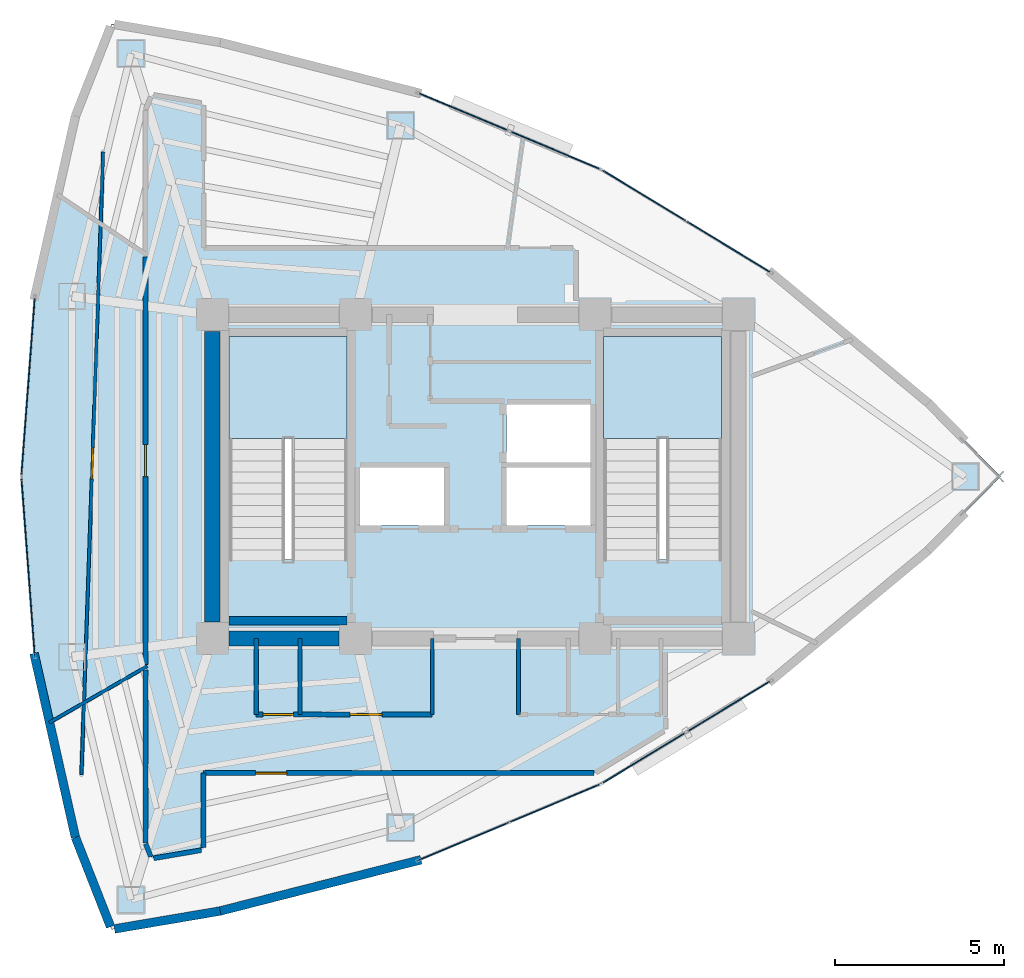
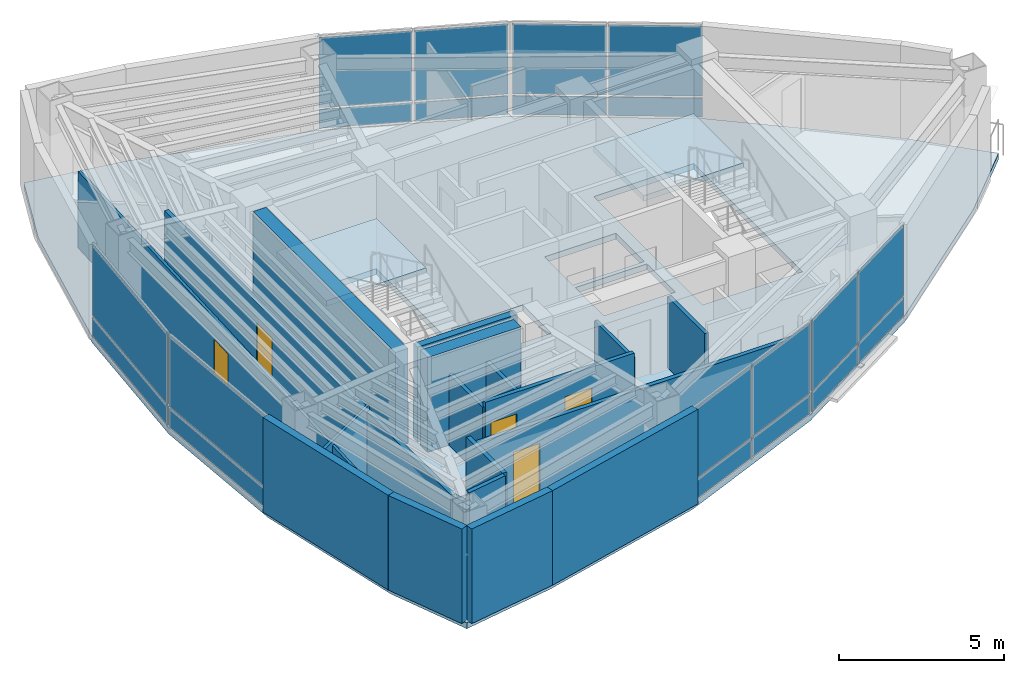
# One storey, part 11 of 16: 20 plates, 20 walls, 5 doors, 3 slabs, 5 openings, 8 elements without a shape of their own.
"""IFC4 building model written with IfcOpenShell, lengths in metres."""

import ifcopenshell
import ifcopenshell.guid

model = None  # the IFC model being written
_history = None  # IfcOwnerHistory: only IFC2X3 demands one
_inside = {}  # id of a spatial element -> (the spatial element, [elements in it])
_under = {}  # id of a project, library or spatial element -> (it, [spatial elements below it])
_declared = {}  # id of a project -> (the project, [libraries it declares])
_typed = {}  # id of a type object -> (the type object, [elements of that type])
_made_of = {}  # id of a material, layer set ... -> (it, [elements and type objects made of it])


def new_model(schema):
    """Start an empty IFC model of exactly this schema.

    Asked for "IFC4X3", IfcOpenShell would pick the latest addendum, in which some entities
    have other attributes; the version numbers below select the first issue.
    IFC2X3 requires an IfcOwnerHistory on every rooted entity: one is made here for all.
    """
    global model, _history
    if schema == "IFC4X3":
        model = ifcopenshell.file(schema_version=(4, 3, 0, 0))
    else:
        model = ifcopenshell.file(schema=schema)
    _inside.clear()
    _under.clear()
    _declared.clear()
    _typed.clear()
    _made_of.clear()
    _history = None
    if model.schema == "IFC2X3":
        org = make("IfcOrganization", Name="unknown")
        user = make(
            "IfcPersonAndOrganization",
            ThePerson=make("IfcPerson", FamilyName="unknown"),
            TheOrganization=org,
        )
        app = make(
            "IfcApplication",
            ApplicationDeveloper=org,
            Version="unknown",
            ApplicationFullName="unknown",
            ApplicationIdentifier="unknown",
        )
        _history = make(
            "IfcOwnerHistory",
            OwningUser=user,
            OwningApplication=app,
            ChangeAction="ADDED",
            CreationDate=0,
        )
    return model


def make(cls, **values):
    """One entity of the class cls with the attributes given. An attribute that is None is left unset."""
    return model.create_entity(
        cls, **{name: value for name, value in values.items() if value is not None}
    )


def rooted(cls, **values):
    """An entity with a GlobalId (a new one), such as an element, a storey or a relation."""
    return make(cls, GlobalId=ifcopenshell.guid.new(), OwnerHistory=_history, **values)


def si_unit(unit_type, name, prefix=None):
    """IfcSIUnit, for example si_unit("LENGTHUNIT", "METRE", prefix="MILLI")."""
    return make("IfcSIUnit", UnitType=unit_type, Prefix=prefix, Name=name)


def assignment(units):
    """IfcUnitAssignment: the units of a project."""
    return None if units is None else make("IfcUnitAssignment", Units=units)


def point(xyz):
    """IfcCartesianPoint."""
    return None if xyz is None else make("IfcCartesianPoint", Coordinates=xyz)


def direction(xyz):
    """IfcDirection."""
    return None if xyz is None else make("IfcDirection", DirectionRatios=xyz)


def frame(location, z_axis=None, x_axis=None):
    """IfcAxis2Placement3D, a coordinate frame: its origin and axes. An axis left out is left unset."""
    return make(
        "IfcAxis2Placement3D",
        Location=point(location),
        Axis=direction(z_axis),
        RefDirection=direction(x_axis),
    )


def frame_2d(location, x_axis=None):
    """IfcAxis2Placement2D, a coordinate frame in the plane: its origin and x axis."""
    return make(
        "IfcAxis2Placement2D", Location=point(location), RefDirection=direction(x_axis)
    )


def origin():
    """The frame at (0, 0, 0) with its axes left unset."""
    return frame((0.0, 0.0, 0.0))


def origin_2d():
    """The frame at (0, 0) in the plane with its x axis left unset."""
    return frame_2d((0.0, 0.0))


def place(relative_to, where):
    """IfcLocalPlacement: puts the frame where relative to a parent placement (None: the world)."""
    return make(
        "IfcLocalPlacement", PlacementRelTo=relative_to, RelativePlacement=where
    )


def context(
    kind, dimensions, precision=None, world=None, true_north=None, identifier=None
):
    """IfcGeometricRepresentationContext, for example the 3D "Model" context."""
    return make(
        "IfcGeometricRepresentationContext",
        ContextIdentifier=identifier,
        ContextType=kind,
        CoordinateSpaceDimension=dimensions,
        Precision=precision,
        WorldCoordinateSystem=world,
        TrueNorth=true_north,
    )


def subcontext(parent, identifier, kind, view, scale=None):
    """IfcGeometricRepresentationSubContext, for example "Body" below "Model"."""
    return make(
        "IfcGeometricRepresentationSubContext",
        ContextIdentifier=identifier,
        ContextType=kind,
        ParentContext=parent,
        TargetScale=scale,
        TargetView=view,
    )


def project(units=None, contexts=None):
    """IfcProject with its units and contexts."""
    return rooted(
        "IfcProject",
        Name="project",
        RepresentationContexts=contexts,
        UnitsInContext=assignment(units),
    )


def spatial(cls, under=None, at=None, **own):
    """A site, building, storey or space (cls), placed at a placement, below another one or the project."""
    s = rooted(cls, ObjectPlacement=at, **own)
    if under is not None:
        _under.setdefault(under.id(), (under, []))[1].append(s)
    return s


def polyline(points):
    """IfcPolyline through the points."""
    return make("IfcPolyline", Points=[point(p) for p in points])


def profile(cls, at=None, kind="AREA", **sizes):
    """A parametric profile (cls). Its sizes go by their IFC names, for example OverallWidth=200.0."""
    return make(cls, ProfileType=kind, Position=at, **sizes)


def rectangle(**sizes):
    """IfcRectangleProfileDef."""
    return profile("IfcRectangleProfileDef", **sizes)


def outline(outer, holes=None, kind="AREA"):
    """IfcArbitraryClosedProfileDef: a profile drawn as a closed curve; with holes, ...WithVoids."""
    if holes is None:
        return make("IfcArbitraryClosedProfileDef", ProfileType=kind, OuterCurve=outer)
    return make(
        "IfcArbitraryProfileDefWithVoids",
        ProfileType=kind,
        OuterCurve=outer,
        InnerCurves=holes,
    )


def extrude(swept, where, along, depth):
    """IfcExtrudedAreaSolid: the profile swept, set in the frame where, extruded along a direction by depth."""
    return make(
        "IfcExtrudedAreaSolid",
        SweptArea=swept,
        Position=where,
        ExtrudedDirection=direction(along),
        Depth=depth,
    )


def shape(context_of_items, identifier, shape_type, items):
    """IfcShapeRepresentation: the items that make up one representation, for example the "Body"."""
    return make(
        "IfcShapeRepresentation",
        ContextOfItems=context_of_items,
        RepresentationIdentifier=identifier,
        RepresentationType=shape_type,
        Items=items,
    )


def material(Name=None, Category=None):
    """IfcMaterial."""
    return make("IfcMaterial", Name=Name, Category=Category)


def layer(
    of_material, thickness, ventilated=None, Name=None, Category=None, Priority=None
):
    """IfcMaterialLayer: one layer of a wall or slab, of a material (None: an air gap)."""
    return make(
        "IfcMaterialLayer",
        Material=of_material,
        LayerThickness=thickness,
        IsVentilated=ventilated,
        Name=Name,
        Category=Category,
        Priority=Priority,
    )


def layer_set(layers, Name=None):
    """IfcMaterialLayerSet."""
    return make("IfcMaterialLayerSet", MaterialLayers=layers, LayerSetName=Name)


def made_of(thing, what):
    """Note that an element or type object is made of a material, layer set ...; save() writes the relation."""
    if what is not None:
        _made_of.setdefault(what.id(), (what, []))[1].append(thing)
    return thing


def type_object(cls, material=None, **own):
    """A type object (cls), such as IfcWallType, which elements share."""
    return made_of(rooted(cls, **own), material)


def element(
    cls,
    number,
    at=None,
    inside=None,
    cuts=None,
    type_object=None,
    material=None,
    context=None,
    identifier="Body",
    shape_type=None,
    held_by="IfcProductDefinitionShape",
    body=None,
    shapes=None,
    **own,
):
    """One element of the class cls, such as IfcWall. Its Tag is "e" and its number.

    at: its placement. inside: the storey or other place that contains it. cuts: it is an
    opening in that element (IfcRelVoidsElement). A single representation is given by context,
    identifier, shape_type and body (its items); several are given by shapes. held_by: the class
    of the entity that holds the representations. save() writes the other relations.
    """
    e = rooted(cls, Tag="e%d" % number, ObjectPlacement=at, **own)
    if body is not None:
        shapes = [shape(context, identifier, shape_type, body)]
    if shapes is not None:
        e.Representation = make(held_by, Representations=shapes)
    if inside is not None:
        _inside.setdefault(inside.id(), (inside, []))[1].append(e)
    if cuts is not None:
        rooted(
            "IfcRelVoidsElement", RelatingBuildingElement=cuts, RelatedOpeningElement=e
        )
    if type_object is not None:
        _typed.setdefault(type_object.id(), (type_object, []))[1].append(e)
    return made_of(e, material)


def fill(opening, filler):
    """IfcRelFillsElement: the door or window that sits in an opening."""
    return rooted(
        "IfcRelFillsElement",
        RelatingOpeningElement=opening,
        RelatedBuildingElement=filler,
    )


def aggregate(whole, parts):
    """IfcRelAggregates: a whole, such as a stair, and the parts it consists of."""
    return rooted("IfcRelAggregates", RelatingObject=whole, RelatedObjects=parts)


def save(model, path):
    """Write the relations noted so far, then the file.

    IfcRelAggregates (storeys below a building ...), IfcRelContainedInSpatialStructure (elements
    in a storey), IfcRelDefinesByType, IfcRelAssociatesMaterial and IfcRelDeclares: one each for
    every whole, place, type object, material and project.
    """
    for whole, parts in _under.values():
        aggregate(whole, parts)
    for where, things in _inside.values():
        rooted(
            "IfcRelContainedInSpatialStructure",
            RelatedElements=things,
            RelatingStructure=where,
        )
    for kind, things in _typed.values():
        rooted("IfcRelDefinesByType", RelatedObjects=things, RelatingType=kind)
    for what, things in _made_of.values():
        rooted("IfcRelAssociatesMaterial", RelatedObjects=things, RelatingMaterial=what)
    for by, libraries in _declared.values():
        rooted("IfcRelDeclares", RelatingContext=by, RelatedDefinitions=libraries)
    model.write(path)


model = new_model("IFC4")

# Units and contexts
model_context = context("Model", 3, precision=1e-05, world=origin(), true_north=direction((0.0, 1.0)))
body_context = subcontext(model_context, "Body", "Model", "MODEL_VIEW")
ifc_project = project(units=[si_unit("LENGTHUNIT", "METRE"), si_unit("AREAUNIT", "SQUARE_METRE"), si_unit("VOLUMEUNIT", "CUBIC_METRE"), si_unit("PLANEANGLEUNIT", "RADIAN"), si_unit("MASSUNIT", "GRAM", prefix="KILO")], contexts=[model_context])

# Site, building, storey
site_placement = place(None, origin())
site = spatial("IfcSite", under=ifc_project, at=site_placement, CompositionType="ELEMENT")
building_placement = place(site_placement, origin())
building = spatial("IfcBuilding", under=site, at=building_placement, Name="Menara Vayukalpa", CompositionType="ELEMENT")
storey_placement = place(building_placement, frame((0.0, 0.0, 280.6201171875)))
storey = spatial("IfcBuildingStorey", under=building, at=storey_placement, Name="L71", CompositionType="ELEMENT", Elevation=280.6201171875)

# Curtain wall, plates
ifc_material_1 = material(Name="Anodised Terracotta Aluminium Alloy 6063-T6", Category="masonry")
ifc_layer_1 = layer(ifc_material_1, 0.1650390625)
ifc_layer_set_1 = layer_set([ifc_layer_1], Name="Anodised Terracotta Aluminium Alloy 6063-T6")
curtain_wall_type = type_object("IfcCurtainWallType", Name="CW-CW6", PredefinedType="USERDEFINED", material=ifc_layer_set_1)
curtain_wall_1_placement = place(storey_placement, origin())
curtain_wall_1 = element("IfcCurtainWall", 1, at=curtain_wall_1_placement, inside=storey, type_object=curtain_wall_type, Name="L71 Observation and Executive Curtain Wall CW6 04", ObjectType="UNITISED", PredefinedType="USERDEFINED")
ifc_material_2 = material(Name="Low-E Double Glazing", Category="glass")
ifc_layer_2 = layer(ifc_material_2, 0.033935546875)
ifc_layer_set_2 = layer_set([ifc_layer_2], Name="Low-E Double Glazing")
plate_type = type_object("IfcPlateType", Name="CWP-CW6", PredefinedType="CURTAIN_PANEL", material=ifc_layer_set_2)
plate_1_placement = place(storey_placement, frame((33.102783203125, 28.814208984375, 0.074951171875), z_axis=(0.0, 0.0, 1.0), x_axis=(-0.854667609532, 0.519175574558, 0.0)))
plate_1 = element("IfcPlate", 2, at=plate_1_placement, type_object=plate_type, Name="CW6 panel 1.1", PredefinedType="CURTAIN_PANEL", context=body_context, shape_type="SweptSolid", body=[
    extrude(rectangle(XDim=2.8486328125, YDim=0.033935546875, at=origin_2d()), origin(), (0.0, 0.0, 1.0), 0.6875),
])
plate_2_placement = place(storey_placement, frame((33.102783203125, 28.814208984375, 0.83740234375), z_axis=(0.0, 0.0, 1.0), x_axis=(-0.854667609532, 0.519175574558, 0.0)))
plate_2 = element("IfcPlate", 3, at=plate_2_placement, type_object=plate_type, Name="CW6 panel 1.2", PredefinedType="CURTAIN_PANEL", context=body_context, shape_type="SweptSolid", body=[
    extrude(rectangle(XDim=2.8486328125, YDim=0.033935546875, at=origin_2d()), origin(), (0.0, 0.0, 1.0), 2.58740234375),
])
plate_3_placement = place(storey_placement, frame((30.608154296875, 30.329345703125, 0.074951171875), z_axis=(0.0, 0.0, 1.0), x_axis=(-0.854667609532, 0.519175574558, 0.0)))
plate_3 = element("IfcPlate", 4, at=plate_3_placement, type_object=plate_type, Name="CW6 panel 2.1", PredefinedType="CURTAIN_PANEL", context=body_context, shape_type="SweptSolid", body=[
    extrude(rectangle(XDim=2.8486328125, YDim=0.033935546875, at=origin_2d()), origin(), (0.0, 0.0, 1.0), 0.6875),
])
plate_4_placement = place(storey_placement, frame((30.608154296875, 30.329345703125, 0.83740234375), z_axis=(0.0, 0.0, 1.0), x_axis=(-0.854667609532, 0.519175574558, 0.0)))
plate_4 = element("IfcPlate", 5, at=plate_4_placement, type_object=plate_type, Name="CW6 panel 2.2", PredefinedType="CURTAIN_PANEL", context=body_context, shape_type="SweptSolid", body=[
    extrude(rectangle(XDim=2.8486328125, YDim=0.033935546875, at=origin_2d()), origin(), (0.0, 0.0, 1.0), 2.58740234375),
])
aggregate(curtain_wall_1, [plate_1, plate_2, plate_3, plate_4])

curtain_wall_2_placement = place(storey_placement, origin())
curtain_wall_2 = element("IfcCurtainWall", 6, at=curtain_wall_2_placement, inside=storey, type_object=curtain_wall_type, Name="L71 Observation and Executive Curtain Wall CW6 05", ObjectType="UNITISED", PredefinedType="USERDEFINED")
plate_5_placement = place(storey_placement, frame((27.952392578125, 31.681884765625, 0.074951171875), z_axis=(0.0, 0.0, 1.0), x_axis=(-0.922540653927, 0.385899911703, 0.0)))
plate_5 = element("IfcPlate", 7, at=plate_5_placement, type_object=plate_type, Name="CW6 panel 1.1", PredefinedType="CURTAIN_PANEL", context=body_context, shape_type="SweptSolid", body=[
    extrude(rectangle(XDim=2.8486328125, YDim=0.033935546875, at=origin_2d()), origin(), (0.0, 0.0, 1.0), 0.6875),
])
plate_6_placement = place(storey_placement, frame((27.952392578125, 31.681884765625, 0.83740234375), z_axis=(0.0, 0.0, 1.0), x_axis=(-0.922540653927, 0.385899911703, 0.0)))
plate_6 = element("IfcPlate", 8, at=plate_6_placement, type_object=plate_type, Name="CW6 panel 1.2", PredefinedType="CURTAIN_PANEL", context=body_context, shape_type="SweptSolid", body=[
    extrude(rectangle(XDim=2.8486328125, YDim=0.033935546875, at=origin_2d()), origin(), (0.0, 0.0, 1.0), 2.58740234375),
])
plate_7_placement = place(storey_placement, frame((25.259765625, 32.808349609375, 0.074951171875), z_axis=(0.0, 0.0, 1.0), x_axis=(-0.922540653927, 0.385899911703, 0.0)))
plate_7 = element("IfcPlate", 9, at=plate_7_placement, type_object=plate_type, Name="CW6 panel 2.1", PredefinedType="CURTAIN_PANEL", context=body_context, shape_type="SweptSolid", body=[
    extrude(rectangle(XDim=2.8486328125, YDim=0.033935546875, at=origin_2d()), origin(), (0.0, 0.0, 1.0), 0.6875),
])
plate_8_placement = place(storey_placement, frame((25.259765625, 32.808349609375, 0.83740234375), z_axis=(0.0, 0.0, 1.0), x_axis=(-0.922540653927, 0.385899911703, 0.0)))
plate_8 = element("IfcPlate", 10, at=plate_8_placement, type_object=plate_type, Name="CW6 panel 2.2", PredefinedType="CURTAIN_PANEL", context=body_context, shape_type="SweptSolid", body=[
    extrude(rectangle(XDim=2.8486328125, YDim=0.033935546875, at=origin_2d()), origin(), (0.0, 0.0, 1.0), 2.58740234375),
])
aggregate(curtain_wall_2, [plate_5, plate_6, plate_7, plate_8])

curtain_wall_3_placement = place(storey_placement, origin())
curtain_wall_3 = element("IfcCurtainWall", 11, at=curtain_wall_3_placement, inside=storey, type_object=curtain_wall_type, Name="L71 Observation and Executive Curtain Wall CW6 10", ObjectType="UNITISED", PredefinedType="USERDEFINED")
plate_9_placement = place(storey_placement, frame((12.33837890625, 24.67333984375, 0.074951171875), z_axis=(0.0, 0.0, 1.0), x_axis=(-0.074789484574, -0.997199344663, 0.0)))
plate_9 = element("IfcPlate", 12, at=plate_9_placement, type_object=plate_type, Name="CW6 panel 1.1", PredefinedType="CURTAIN_PANEL", context=body_context, shape_type="SweptSolid", body=[
    extrude(rectangle(XDim=5.2216796875, YDim=0.033935546875, at=origin_2d()), origin(), (0.0, 0.0, 1.0), 0.6875),
])
plate_10_placement = place(storey_placement, frame((12.33837890625, 24.67333984375, 0.83740234375), z_axis=(0.0, 0.0, 1.0), x_axis=(-0.074789484574, -0.997199344663, 0.0)))
plate_10 = element("IfcPlate", 13, at=plate_10_placement, type_object=plate_type, Name="CW6 panel 1.2", PredefinedType="CURTAIN_PANEL", context=body_context, shape_type="SweptSolid", body=[
    extrude(rectangle(XDim=5.2216796875, YDim=0.033935546875, at=origin_2d()), origin(), (0.0, 0.0, 1.0), 2.58740234375),
])
aggregate(curtain_wall_3, [plate_9, plate_10])

curtain_wall_4_placement = place(storey_placement, origin())
curtain_wall_4 = element("IfcCurtainWall", 14, at=curtain_wall_4_placement, inside=storey, type_object=curtain_wall_type, Name="L71 Observation and Executive Curtain Wall CW6 11", ObjectType="UNITISED", PredefinedType="USERDEFINED")
plate_11_placement = place(storey_placement, frame((12.33837890625, 19.32666015625, 0.074951171875), z_axis=(0.0, 0.0, 1.0), x_axis=(0.074789484574, -0.997199344663, 0.0)))
plate_11 = element("IfcPlate", 15, at=plate_11_placement, type_object=plate_type, Name="CW6 panel 1.1", PredefinedType="CURTAIN_PANEL", context=body_context, shape_type="SweptSolid", body=[
    extrude(rectangle(XDim=5.2216796875, YDim=0.033935546875, at=origin_2d()), origin(), (0.0, 0.0, 1.0), 0.6875),
])
plate_12_placement = place(storey_placement, frame((12.33837890625, 19.32666015625, 0.83740234375), z_axis=(0.0, 0.0, 1.0), x_axis=(0.074789484574, -0.997199344663, 0.0)))
plate_12 = element("IfcPlate", 16, at=plate_12_placement, type_object=plate_type, Name="CW6 panel 1.2", PredefinedType="CURTAIN_PANEL", context=body_context, shape_type="SweptSolid", body=[
    extrude(rectangle(XDim=5.2216796875, YDim=0.033935546875, at=origin_2d()), origin(), (0.0, 0.0, 1.0), 2.58740234375),
])
aggregate(curtain_wall_4, [plate_11, plate_12])

curtain_wall_5_placement = place(storey_placement, origin())
curtain_wall_5 = element("IfcCurtainWall", 17, at=curtain_wall_5_placement, inside=storey, type_object=curtain_wall_type, Name="L71 Observation and Executive Curtain Wall CW6 16", ObjectType="UNITISED", PredefinedType="USERDEFINED")
plate_13_placement = place(storey_placement, frame((25.259765625, 11.191650390625, 0.074951171875), z_axis=(0.0, 0.0, 1.0), x_axis=(0.922540653927, 0.385899911703, 0.0)))
plate_13 = element("IfcPlate", 18, at=plate_13_placement, type_object=plate_type, Name="CW6 panel 1.1", PredefinedType="CURTAIN_PANEL", context=body_context, shape_type="SweptSolid", body=[
    extrude(rectangle(XDim=2.8486328125, YDim=0.033935546875, at=origin_2d()), origin(), (0.0, 0.0, 1.0), 0.6875),
])
plate_14_placement = place(storey_placement, frame((25.259765625, 11.191650390625, 0.83740234375), z_axis=(0.0, 0.0, 1.0), x_axis=(0.922540653927, 0.385899911703, 0.0)))
plate_14 = element("IfcPlate", 19, at=plate_14_placement, type_object=plate_type, Name="CW6 panel 1.2", PredefinedType="CURTAIN_PANEL", context=body_context, shape_type="SweptSolid", body=[
    extrude(rectangle(XDim=2.8486328125, YDim=0.033935546875, at=origin_2d()), origin(), (0.0, 0.0, 1.0), 2.58740234375),
])
plate_15_placement = place(storey_placement, frame((27.952392578125, 12.318115234375, 0.074951171875), z_axis=(0.0, 0.0, 1.0), x_axis=(0.922540653927, 0.385899911703, 0.0)))
plate_15 = element("IfcPlate", 20, at=plate_15_placement, type_object=plate_type, Name="CW6 panel 2.1", PredefinedType="CURTAIN_PANEL", context=body_context, shape_type="SweptSolid", body=[
    extrude(rectangle(XDim=2.8486328125, YDim=0.033935546875, at=origin_2d()), origin(), (0.0, 0.0, 1.0), 0.6875),
])
plate_16_placement = place(storey_placement, frame((27.952392578125, 12.318115234375, 0.83740234375), z_axis=(0.0, 0.0, 1.0), x_axis=(0.922540653927, 0.385899911703, 0.0)))
plate_16 = element("IfcPlate", 21, at=plate_16_placement, type_object=plate_type, Name="CW6 panel 2.2", PredefinedType="CURTAIN_PANEL", context=body_context, shape_type="SweptSolid", body=[
    extrude(rectangle(XDim=2.8486328125, YDim=0.033935546875, at=origin_2d()), origin(), (0.0, 0.0, 1.0), 2.58740234375),
])
aggregate(curtain_wall_5, [plate_13, plate_14, plate_15, plate_16])

curtain_wall_6_placement = place(storey_placement, origin())
curtain_wall_6 = element("IfcCurtainWall", 22, at=curtain_wall_6_placement, inside=storey, type_object=curtain_wall_type, Name="L71 Observation and Executive Curtain Wall CW6 17", ObjectType="UNITISED", PredefinedType="USERDEFINED")
plate_17_placement = place(storey_placement, frame((30.608154296875, 13.670654296875, 0.074951171875), z_axis=(0.0, 0.0, 1.0), x_axis=(0.854667609532, 0.519175574558, 0.0)))
plate_17 = element("IfcPlate", 23, at=plate_17_placement, type_object=plate_type, Name="CW6 panel 1.1", PredefinedType="CURTAIN_PANEL", context=body_context, shape_type="SweptSolid", body=[
    extrude(rectangle(XDim=2.8486328125, YDim=0.033935546875, at=origin_2d()), origin(), (0.0, 0.0, 1.0), 0.6875),
])
plate_18_placement = place(storey_placement, frame((30.608154296875, 13.670654296875, 0.83740234375), z_axis=(0.0, 0.0, 1.0), x_axis=(0.854667609532, 0.519175574558, 0.0)))
plate_18 = element("IfcPlate", 24, at=plate_18_placement, type_object=plate_type, Name="CW6 panel 1.2", PredefinedType="CURTAIN_PANEL", context=body_context, shape_type="SweptSolid", body=[
    extrude(rectangle(XDim=2.8486328125, YDim=0.033935546875, at=origin_2d()), origin(), (0.0, 0.0, 1.0), 2.58740234375),
])
plate_19_placement = place(storey_placement, frame((33.102783203125, 15.185791015625, 0.074951171875), z_axis=(0.0, 0.0, 1.0), x_axis=(0.854667609532, 0.519175574558, 0.0)))
plate_19 = element("IfcPlate", 25, at=plate_19_placement, type_object=plate_type, Name="CW6 panel 2.1", PredefinedType="CURTAIN_PANEL", context=body_context, shape_type="SweptSolid", body=[
    extrude(rectangle(XDim=2.8486328125, YDim=0.033935546875, at=origin_2d()), origin(), (0.0, 0.0, 1.0), 0.6875),
])
plate_20_placement = place(storey_placement, frame((33.102783203125, 15.185791015625, 0.83740234375), z_axis=(0.0, 0.0, 1.0), x_axis=(0.854667609532, 0.519175574558, 0.0)))
plate_20 = element("IfcPlate", 26, at=plate_20_placement, type_object=plate_type, Name="CW6 panel 2.2", PredefinedType="CURTAIN_PANEL", context=body_context, shape_type="SweptSolid", body=[
    extrude(rectangle(XDim=2.8486328125, YDim=0.033935546875, at=origin_2d()), origin(), (0.0, 0.0, 1.0), 2.58740234375),
])
aggregate(curtain_wall_6, [plate_17, plate_18, plate_19, plate_20])

# Slab
ifc_material_3 = material(Name="Concrete C40/50", Category="concrete")
ifc_layer_3 = layer(ifc_material_3, 0.219970703125)
ifc_layer_set_3 = layer_set([ifc_layer_3], Name="Concrete C40/50")
slab_type_1 = type_object("IfcSlabType", Name="SLB-FL220", PredefinedType="FLOOR", material=ifc_layer_set_3)
slab_1_placement = place(storey_placement, frame((0.0, 0.0, -0.22021484375)))
element("IfcSlab", 27, at=slab_1_placement, inside=storey, type_object=slab_type_1, Name="L71 Structural Floor Slab", PredefinedType="FLOOR", context=body_context, shape_type="SweptSolid", body=[
    extrude(outline(polyline([(39.02783203125, 19.816162109375), (41.171875, 22.0), (39.02783203125, 24.183837890625), (34.3798828125, 28.038330078125), (29.3310546875, 31.105224609375), (23.881103515625, 33.385009765625), (18.0302734375, 34.877197265625), (14.814208984375, 35.423095703125), (13.741943359375, 32.693359375), (12.5390625, 27.3466796875), (12.137939453125, 22.0), (12.5390625, 16.6533203125), (13.741943359375, 11.306640625), (14.814208984375, 8.576904296875), (18.0302734375, 9.122802734375), (23.881103515625, 10.614990234375), (29.3310546875, 12.894775390625), (34.3798828125, 15.961669921875), (39.02783203125, 19.816162109375)]), holes=[polyline([(21.800048828125, 19.550048828125), (21.800048828125, 26.14990234375), (18.300048828125, 26.14990234375), (18.300048828125, 19.550048828125), (21.800048828125, 19.550048828125)]), polyline([(32.89990234375, 19.550048828125), (32.89990234375, 26.14990234375), (29.39990234375, 26.14990234375), (29.39990234375, 19.550048828125), (32.89990234375, 19.550048828125)]), polyline([(22.179931640625, 20.550048828125), (24.679931640625, 20.550048828125), (24.679931640625, 22.27001953125), (22.179931640625, 22.27001953125), (22.179931640625, 20.550048828125)]), polyline([(26.52001953125, 20.550048828125), (29.02001953125, 20.550048828125), (29.02001953125, 22.27001953125), (26.52001953125, 22.27001953125), (26.52001953125, 20.550048828125)]), polyline([(26.52001953125, 22.419921875), (29.02001953125, 22.419921875), (29.02001953125, 24.139892578125), (26.52001953125, 24.139892578125), (26.52001953125, 22.419921875)])]), origin(), (0.0, 0.0, 1.0), 0.22021484375),
])

# Stair, slab
ifc_material_4 = material(Name="Precast Concrete C40/50", Category="concrete")
stair_type = type_object("IfcStairType", Name="STR-T04", PredefinedType="DOUBLE_RETURN_STAIR", material=ifc_material_4)
stair_1_placement = place(storey_placement, origin())
stair_1 = element("IfcStair", 28, at=stair_1_placement, inside=storey, type_object=stair_type, Name="L71 Core Exit Stair ST-1", PredefinedType="DOUBLE_RETURN_STAIR")
ifc_material_5 = material(Name="Precast Concrete C40/50", Category="concrete")
ifc_layer_4 = layer(ifc_material_5, 0.199951171875)
ifc_layer_set_4 = layer_set([ifc_layer_4], Name="Precast Concrete C40/50")
slab_type_2 = type_object("IfcSlabType", Name="SLB-LND200", PredefinedType="LANDING", material=ifc_layer_set_4)
slab_2_placement = place(storey_placement, frame((0.0, 0.0, 1.659912109375)))
slab_2 = element("IfcSlab", 29, at=slab_2_placement, type_object=slab_type_2, Name="ST-1 landing 1", PredefinedType="LANDING", context=body_context, shape_type="SweptSolid", body=[
    extrude(outline(polyline([(21.800048828125, 23.1298828125), (21.800048828125, 26.14990234375), (18.300048828125, 26.14990234375), (18.300048828125, 23.1298828125), (21.800048828125, 23.1298828125)])), origin(), (0.0, 0.0, 1.0), 0.199951171875),
])
aggregate(stair_1, [slab_2])

stair_2_placement = place(storey_placement, origin())
stair_2 = element("IfcStair", 30, at=stair_2_placement, inside=storey, type_object=stair_type, Name="L71 Core Exit Stair ST-2", PredefinedType="DOUBLE_RETURN_STAIR")
slab_3_placement = place(storey_placement, frame((0.0, 0.0, 1.659912109375)))
slab_3 = element("IfcSlab", 31, at=slab_3_placement, type_object=slab_type_2, Name="ST-2 landing 1", PredefinedType="LANDING", context=body_context, shape_type="SweptSolid", body=[
    extrude(outline(polyline([(32.89990234375, 23.1298828125), (32.89990234375, 26.14990234375), (29.39990234375, 26.14990234375), (29.39990234375, 23.1298828125), (32.89990234375, 23.1298828125)])), origin(), (0.0, 0.0, 1.0), 0.199951171875),
])
aggregate(stair_2, [slab_3])

# Walls
ifc_material_6 = material(Name="Concrete C50/60", Category="concrete")
ifc_layer_5 = layer(ifc_material_6, 0.449951171875)
ifc_layer_set_5 = layer_set([ifc_layer_5], Name="Concrete C50/60")
wall_type_1 = type_object("IfcWallType", Name="WAL-CW450", PredefinedType="SHEAR", material=ifc_layer_set_5)
wall_1_placement = place(storey_placement, frame((18.294921875, 17.199951171875, 0.0), z_axis=(0.0, 0.0, 1.0), x_axis=(1.0, 0.0, 0.0)))
element("IfcWall", 32, at=wall_1_placement, inside=storey, type_object=wall_type_1, Name="L71 Buttressed Core Shear Wall CWS1", PredefinedType="SHEAR", context=body_context, shape_type="SweptSolid", body=[
    extrude(rectangle(XDim=3.260009765625, YDim=0.449951171875, at=frame_2d((1.6298828125, 0.0))), origin(), (0.0, 0.0, 1.0), 3.5),
])
wall_2_placement = place(storey_placement, frame((17.800048828125, 17.695068359375, 0.0), z_axis=(0.0, 0.0, 1.0), x_axis=(0.0, 1.0, 0.0)))
element("IfcWall", 33, at=wall_2_placement, inside=storey, type_object=wall_type_1, Name="L71 Buttressed Core Shear Wall CWW1", PredefinedType="SHEAR", context=body_context, shape_type="SweptSolid", body=[
    extrude(rectangle(XDim=8.60986328125, YDim=0.449951171875, at=frame_2d((4.304931640625, 0.0))), origin(), (0.0, 0.0, 1.0), 3.5),
])
ifc_material_7 = material(Name="Insulated Precast Concrete C40/50", Category="concrete")
ifc_layer_6 = layer(ifc_material_7, 0.260009765625)
ifc_layer_set_6 = layer_set([ifc_layer_6], Name="Insulated Precast Concrete C40/50")
wall_type_2 = type_object("IfcWallType", Name="WAL-EXT260", PredefinedType="PARTITIONING", material=ifc_layer_set_6)
wall_3_placement = place(storey_placement, frame((13.741943359375, 11.306640625, 0.0), z_axis=(0.0, 0.0, 1.0), x_axis=(-0.219500763731, 0.97561232809, 0.0)))
element("IfcWall", 34, at=wall_3_placement, inside=storey, type_object=wall_type_2, Name="L71 Perimeter Terracotta Pier Wall 12", PredefinedType="PARTITIONING", context=body_context, shape_type="SweptSolid", body=[
    extrude(rectangle(XDim=5.590087890625, YDim=0.260009765625, at=frame_2d((2.794921875, 0.0))), origin(), (0.0, 0.0, 1.0), 3.5),
])
wall_4_placement = place(storey_placement, frame((14.7822265625, 8.658203125, 0.0), z_axis=(0.0, 0.0, 1.0), x_axis=(-0.36559927932, 0.930772349697, 0.0)))
element("IfcWall", 35, at=wall_4_placement, inside=storey, type_object=wall_type_2, Name="L71 Perimeter Terracotta Pier Wall 13", PredefinedType="PARTITIONING", context=body_context, shape_type="SweptSolid", body=[
    extrude(rectangle(XDim=2.845458984375, YDim=0.260009765625, at=frame_2d((1.4228515625, 0.0))), origin(), (0.0, 0.0, 1.0), 3.5),
])
wall_5_placement = place(storey_placement, frame((18.0361328125, 9.123779296875, 0.0), z_axis=(0.0, 0.0, 1.0), x_axis=(-0.985889432766, -0.167397808709, 0.0)))
element("IfcWall", 36, at=wall_5_placement, inside=storey, type_object=wall_type_2, Name="L71 Perimeter Terracotta Pier Wall 14", PredefinedType="PARTITIONING", context=body_context, shape_type="SweptSolid", body=[
    extrude(rectangle(XDim=3.180908203125, YDim=0.260009765625, at=frame_2d((1.59033203125, 0.0))), origin(), (0.0, 0.0, 1.0), 3.5),
])
wall_6_placement = place(storey_placement, frame((23.98779296875, 10.64208984375, 0.0), z_axis=(0.0, 0.0, 1.0), x_axis=(-0.968988278672, -0.247106689096, 0.0)))
element("IfcWall", 37, at=wall_6_placement, inside=storey, type_object=wall_type_2, Name="L71 Perimeter Terracotta Pier Wall 15", PredefinedType="PARTITIONING", context=body_context, shape_type="SweptSolid", body=[
    extrude(rectangle(XDim=6.154296875, YDim=0.260009765625, at=frame_2d((3.0771484375, 0.0))), origin(), (0.0, 0.0, 1.0), 3.5),
])
ifc_material_8 = material(Name="Glazed Demountable Office Partition", Category="glass")
ifc_layer_7 = layer(ifc_material_8, 0.094970703125)
ifc_layer_set_7 = layer_set([ifc_layer_7], Name="Glazed Demountable Office Partition")
wall_type_3 = type_object("IfcWallType", Name="WAL-PT100", PredefinedType="PARTITIONING", material=ifc_layer_set_7)
wall_7_placement = place(storey_placement, frame((15.8701171875, 16.38232421875, 0.0), z_axis=(0.0, 0.0, 1.0), x_axis=(-0.866052188221, -0.499953605124, 0.0)))
element("IfcWall", 38, at=wall_7_placement, inside=storey, type_object=wall_type_3, Name="L71 Interior Partition IW-L71-RDIV04", PredefinedType="PARTITIONING", context=body_context, shape_type="SweptSolid", body=[
    extrude(rectangle(XDim=3.352294921875, YDim=0.094970703125, at=frame_2d((1.67626953125, 0.0))), origin(), (0.0, 0.0, 1.0), 2.97998046875),
])

# Wall, opening, door
wall_8_placement = place(storey_placement, frame((14.565185546875, 31.622314453125, 0.0), z_axis=(0.0, 0.0, 1.0), x_axis=(-0.03489676283, -0.999390922484, 0.0)))
wall_8 = element("IfcWall", 39, at=wall_8_placement, inside=storey, type_object=wall_type_3, Name="L71 Interior Partition IW-L71-RDIV06", PredefinedType="PARTITIONING", context=body_context, shape_type="SweptSolid", body=[
    extrude(rectangle(XDim=18.462646484375, YDim=0.094970703125, at=frame_2d((9.2314453125, 0.0))), origin(), (0.0, 0.0, 1.0), 2.829833984375),
])
opening_1_placement = place(wall_8_placement, frame((8.771240234375, 0.0, 0.0)))
opening_1 = element("IfcOpeningElement", 40, at=opening_1_placement, cuts=wall_8, Name="Opening ID6", PredefinedType="OPENING", context=body_context, shape_type="SweptSolid", body=[
    extrude(rectangle(XDim=0.919921875, YDim=2.050048828125, at=frame_2d((0.4599609375, 1.02490234375))), frame((0.0, 0.057373046875, 0.0), z_axis=(0.0, -1.0, 0.0), x_axis=(1.0, 0.0, 0.0)), (0.0, 0.0, 1.0), 0.114990234375),
])
ifc_material_9 = material(Name="Acoustic Hardwood Veneer Timber Door", Category="wood")
door_type_1 = type_object("IfcDoorType", Name="DR-INT92", OperationType="NOTDEFINED", PredefinedType="DOOR", material=ifc_material_9)
door_1_placement = place(opening_1_placement, origin())
door_1 = element("IfcDoor", 41, at=door_1_placement, inside=storey, type_object=door_type_1, Name="L71 Interior Door DR-L71-STE06", OperationType="SINGLE_SWING_LEFT", OverallHeight=2.050048828125, OverallWidth=0.919921875, PredefinedType="DOOR", context=body_context, shape_type="SweptSolid", body=[
    extrude(rectangle(XDim=0.919921875, YDim=2.050048828125, at=frame_2d((0.4599609375, 1.02490234375))), frame((0.0, 0.02490234375, 0.0), z_axis=(0.0, -1.0, 0.0), x_axis=(1.0, 0.0, 0.0)), (0.0, 0.0, 1.0), 0.050048828125),
])
fill(opening_1, door_1)

# Walls
ifc_material_10 = material(Name="Acoustic Mineral Stud Partition", Category="masonry")
ifc_layer_8 = layer(ifc_material_10, 0.110107421875)
ifc_layer_set_8 = layer_set([ifc_layer_8], Name="Acoustic Mineral Stud Partition")
wall_type_4 = type_object("IfcWallType", Name="WAL-PT110", PredefinedType="PARTITIONING", material=ifc_layer_set_8)
wall_9_placement = place(storey_placement, frame((24.320068359375, 14.949951171875, 0.0), z_axis=(0.0, 0.0, 1.0), x_axis=(0.0, 1.0, 0.0)))
element("IfcWall", 42, at=wall_9_placement, inside=storey, type_object=wall_type_4, Name="L71 Interior Partition IW-L71-SVCD-03", PredefinedType="PARTITIONING", context=body_context, shape_type="SweptSolid", body=[
    extrude(rectangle(XDim=2.25, YDim=0.110107421875, at=frame_2d((1.125, 0.0))), origin(), (0.0, 0.0, 1.0), 2.6298828125),
])
ifc_material_11 = material(Name="Gypsum Drywall Steel Stud Assembly", Category="steel")
ifc_layer_9 = layer(ifc_material_11, 0.125)
ifc_layer_set_9 = layer_set([ifc_layer_9], Name="Gypsum Drywall Steel Stud Assembly")
wall_type_5 = type_object("IfcWallType", Name="WAL-PT125", PredefinedType="PARTITIONING", material=ifc_layer_set_9)
for number, where, z_axis, x_axis, name in (
    (43, (19.10009765625, 14.949951171875, 0.0), (0.0, 0.0, 1.0), (0.0, 1.0, 0.0), "L71 Interior Partition IW-L71-SVCD-01"),
    (44, (20.39990234375, 14.949951171875, 0.0), (0.0, 0.0, 1.0), (0.0, 1.0, 0.0), "L71 Interior Partition IW-L71-SVCD-02"),
    (45, (26.8798828125, 14.949951171875, 0.0), (0.0, 0.0, 1.0), (0.0, 1.0, 0.0), "L71 Interior Partition IW-L71-SVCD-04"),
):
    element("IfcWall", number, at=place(storey_placement, frame(where, z_axis=z_axis, x_axis=x_axis)), inside=storey, type_object=wall_type_5, Name=name, PredefinedType="PARTITIONING", context=body_context, shape_type="SweptSolid", body=[
        extrude(rectangle(XDim=2.25, YDim=0.125, at=frame_2d((1.125, 0.0))), origin(), (0.0, 0.0, 1.0), 2.6298828125),
    ])

# Wall, openings, doors
ifc_material_12 = material(Name="Gypsum Drywall Acoustic Stud Assembly", Category="masonry")
ifc_layer_10 = layer(ifc_material_12, 0.14501953125)
ifc_layer_set_10 = layer_set([ifc_layer_10], Name="Gypsum Drywall Acoustic Stud Assembly")
wall_type_6 = type_object("IfcWallType", Name="WAL-PT150", PredefinedType="PARTITIONING", material=ifc_layer_set_10)
wall_10_placement = place(storey_placement, frame((19.10009765625, 14.949951171875, 0.0), z_axis=(0.0, 0.0, 1.0), x_axis=(1.0, 0.0, 0.0)))
wall_10 = element("IfcWall", 46, at=wall_10_placement, inside=storey, type_object=wall_type_6, Name="L71 Interior Partition IW-L71-SVCS-W", PredefinedType="PARTITIONING", context=body_context, shape_type="SweptSolid", body=[
    extrude(rectangle(XDim=5.219970703125, YDim=0.14501953125, at=frame_2d((2.60986328125, 0.0))), origin(), (0.0, 0.0, 1.0), 2.829833984375),
])
opening_2_placement = place(wall_10_placement, frame((0.199951171875, 0.0, 0.0)))
opening_2 = element("IfcOpeningElement", 47, at=opening_2_placement, cuts=wall_10, Name="Opening ID7", PredefinedType="OPENING", context=body_context, shape_type="SweptSolid", body=[
    extrude(rectangle(XDim=0.89990234375, YDim=2.02001953125, at=frame_2d((0.449951171875, 1.010009765625))), frame((0.0, 0.08251953125, 0.0), z_axis=(0.0, -1.0, 0.0), x_axis=(1.0, 0.0, 0.0)), (0.0, 0.0, 1.0), 0.1650390625),
])
opening_3_placement = place(wall_10_placement, frame((2.784912109375, 0.0, 0.0)))
opening_3 = element("IfcOpeningElement", 48, at=opening_3_placement, cuts=wall_10, Name="Opening ID5", PredefinedType="OPENING", context=body_context, shape_type="SweptSolid", body=[
    extrude(rectangle(XDim=0.949951171875, YDim=2.06005859375, at=frame_2d((0.47509765625, 1.030029296875))), frame((0.0, 0.08251953125, 0.0), z_axis=(0.0, -1.0, 0.0), x_axis=(1.0, 0.0, 0.0)), (0.0, 0.0, 1.0), 0.1650390625),
])
ifc_material_13 = material(Name="Acoustic Hardwood Veneer Timber Door", Category="wood")
door_type_2 = type_object("IfcDoorType", Name="DR-INT95", OperationType="NOTDEFINED", PredefinedType="DOOR", material=ifc_material_13)
door_2_placement = place(opening_3_placement, origin())
door_2 = element("IfcDoor", 49, at=door_2_placement, inside=storey, type_object=door_type_2, Name="L71 Interior Door DR-L71-AWC", OperationType="SINGLE_SWING_RIGHT", OverallHeight=2.06005859375, OverallWidth=0.949951171875, PredefinedType="DOOR", context=body_context, shape_type="SweptSolid", body=[
    extrude(rectangle(XDim=0.949951171875, YDim=2.06005859375, at=frame_2d((0.47509765625, 1.030029296875))), frame((0.0, 0.02490234375, 0.0), z_axis=(0.0, -1.0, 0.0), x_axis=(1.0, 0.0, 0.0)), (0.0, 0.0, 1.0), 0.050048828125),
])
fill(opening_3, door_2)
ifc_material_14 = material(Name="Powder-Coated Steel Riser Access Door", Category="steel")
door_type_3 = type_object("IfcDoorType", Name="DR-RISER", OperationType="NOTDEFINED", PredefinedType="DOOR", material=ifc_material_14)
door_3_placement = place(opening_2_placement, origin())
door_3 = element("IfcDoor", 50, at=door_3_placement, inside=storey, type_object=door_type_3, Name="L71 Interior Door DR-L71-ELR", OperationType="SINGLE_SWING_LEFT", OverallHeight=2.02001953125, OverallWidth=0.89990234375, PredefinedType="DOOR", context=body_context, shape_type="SweptSolid", body=[
    extrude(rectangle(XDim=0.89990234375, YDim=2.02001953125, at=frame_2d((0.449951171875, 1.010009765625))), frame((0.0, 0.02490234375, 0.0), z_axis=(0.0, -1.0, 0.0), x_axis=(1.0, 0.0, 0.0)), (0.0, 0.0, 1.0), 0.050048828125),
])
fill(opening_2, door_3)

# Walls
wall_11_placement = place(storey_placement, frame((15.820068359375, 16.272705078125, 0.0), z_axis=(0.0, 0.0, 1.0), x_axis=(0.0, -1.0, 0.0)))
element("IfcWall", 51, at=wall_11_placement, inside=storey, type_object=wall_type_6, Name="L71 Interior Partition IW-L71-CRM02-1", PredefinedType="PARTITIONING", context=body_context, shape_type="SweptSolid", body=[
    extrude(rectangle(XDim=5.12646484375, YDim=0.14501953125, at=frame_2d((2.563232421875, 0.0))), origin(), (0.0, 0.0, 1.0), 2.829833984375),
])
wall_12_placement = place(storey_placement, frame((15.825439453125, 11.116943359375, 0.0), z_axis=(0.0, 0.0, 1.0), x_axis=(0.365633948196, -0.930758731319, 0.0)))
element("IfcWall", 52, at=wall_12_placement, inside=storey, type_object=wall_type_6, Name="L71 Interior Partition IW-L71-CRM02-2", PredefinedType="PARTITIONING", context=body_context, shape_type="SweptSolid", body=[
    extrude(rectangle(XDim=0.409912109375, YDim=0.14501953125, at=frame_2d((0.205078125, 0.0))), origin(), (0.0, 0.0, 1.0), 2.829833984375),
])
wall_13_placement = place(storey_placement, frame((16.063232421875, 10.685546875, 0.0), z_axis=(0.0, 0.0, 1.0), x_axis=(0.985881780308, 0.167442871621, 0.0)))
element("IfcWall", 53, at=wall_13_placement, inside=storey, type_object=wall_type_6, Name="L71 Interior Partition IW-L71-CRM02-3", PredefinedType="PARTITIONING", context=body_context, shape_type="SweptSolid", body=[
    extrude(rectangle(XDim=1.430419921875, YDim=0.14501953125, at=frame_2d((0.71533203125, 0.0))), origin(), (0.0, 0.0, 1.0), 3.1298828125),
])
wall_14_placement = place(storey_placement, frame((17.5400390625, 11.00390625, 0.0), z_axis=(0.0, 0.0, 1.0), x_axis=(0.0, 1.0, 0.0)))
element("IfcWall", 54, at=wall_14_placement, inside=storey, type_object=wall_type_6, Name="L71 Interior Partition IW-L71-CRM02-4", PredefinedType="PARTITIONING", context=body_context, shape_type="SweptSolid", body=[
    extrude(rectangle(XDim=2.2060546875, YDim=0.14501953125, at=frame_2d((1.10302734375, 0.0))), origin(), (0.0, 0.0, 1.0), 3.1298828125),
])

# Wall, opening, door
wall_15_placement = place(storey_placement, frame((17.5400390625, 13.2099609375, 0.0), z_axis=(0.0, 0.0, 1.0), x_axis=(1.0, 0.0, 0.0)))
wall_15 = element("IfcWall", 55, at=wall_15_placement, inside=storey, type_object=wall_type_6, Name="L71 Interior Partition IW-L71-CRM02-5", PredefinedType="PARTITIONING", context=body_context, shape_type="SweptSolid", body=[
    extrude(rectangle(XDim=11.56982421875, YDim=0.14501953125, at=frame_2d((5.784912109375, 0.0))), origin(), (0.0, 0.0, 1.0), 2.829833984375),
])
opening_4_placement = place(wall_15_placement, frame((1.541259765625, 0.0, 0.0)))
opening_4 = element("IfcOpeningElement", 56, at=opening_4_placement, cuts=wall_15, Name="Opening ID6", PredefinedType="OPENING", context=body_context, shape_type="SweptSolid", body=[
    extrude(rectangle(XDim=0.919921875, YDim=2.050048828125, at=frame_2d((0.4599609375, 1.02490234375))), frame((0.0, 0.08251953125, 0.0), z_axis=(0.0, -1.0, 0.0), x_axis=(1.0, 0.0, 0.0)), (0.0, 0.0, 1.0), 0.1650390625),
])
door_4_placement = place(opening_4_placement, origin())
door_4 = element("IfcDoor", 57, at=door_4_placement, inside=storey, type_object=door_type_1, Name="L71 Interior Door DR-L71-RM02", OperationType="SINGLE_SWING_RIGHT", OverallHeight=2.050048828125, OverallWidth=0.919921875, PredefinedType="DOOR", context=body_context, shape_type="SweptSolid", body=[
    extrude(rectangle(XDim=0.919921875, YDim=2.050048828125, at=frame_2d((0.4599609375, 1.02490234375))), frame((0.0, 0.02490234375, 0.0), z_axis=(0.0, -1.0, 0.0), x_axis=(1.0, 0.0, 0.0)), (0.0, 0.0, 1.0), 0.050048828125),
])
fill(opening_4, door_4)

wall_16_placement = place(storey_placement, frame((15.820068359375, 28.51220703125, 0.0), z_axis=(0.0, 0.0, 1.0), x_axis=(0.0, -1.0, 0.0)))
wall_16 = element("IfcWall", 58, at=wall_16_placement, inside=storey, type_object=wall_type_6, Name="L71 Interior Partition IW-L71-CRM07-1", PredefinedType="PARTITIONING", context=body_context, shape_type="SweptSolid", body=[
    extrude(rectangle(XDim=12.077880859375, YDim=0.14501953125, at=frame_2d((6.0390625, 0.0))), origin(), (0.0, 0.0, 1.0), 2.829833984375),
])
opening_5_placement = place(wall_16_placement, frame((5.56396484375, 0.0, 0.0)))
opening_5 = element("IfcOpeningElement", 59, at=opening_5_placement, cuts=wall_16, Name="Opening ID5", PredefinedType="OPENING", context=body_context, shape_type="SweptSolid", body=[
    extrude(rectangle(XDim=0.949951171875, YDim=2.06005859375, at=frame_2d((0.47509765625, 1.030029296875))), frame((0.0, 0.08251953125, 0.0), z_axis=(0.0, -1.0, 0.0), x_axis=(1.0, 0.0, 0.0)), (0.0, 0.0, 1.0), 0.1650390625),
])
door_5_placement = place(opening_5_placement, origin())
door_5 = element("IfcDoor", 60, at=door_5_placement, inside=storey, type_object=door_type_2, Name="L71 Interior Door DR-L71-RM07", OperationType="SINGLE_SWING_LEFT", OverallHeight=2.06005859375, OverallWidth=0.949951171875, PredefinedType="DOOR", context=body_context, shape_type="SweptSolid", body=[
    extrude(rectangle(XDim=0.949951171875, YDim=2.06005859375, at=frame_2d((0.47509765625, 1.030029296875))), frame((0.0, 0.02490234375, 0.0), z_axis=(0.0, -1.0, 0.0), x_axis=(1.0, 0.0, 0.0)), (0.0, 0.0, 1.0), 0.050048828125),
])
fill(opening_5, door_5)

# Wall
ifc_material_15 = material(Name="Concrete C50/60", Category="concrete")
ifc_layer_11 = layer(ifc_material_15, 0.25)
ifc_layer_set_11 = layer_set([ifc_layer_11], Name="Concrete C50/60")
wall_type_7 = type_object("IfcWallType", Name="WAL-SW250", PredefinedType="SHEAR", material=ifc_layer_set_11)
wall_17_placement = place(storey_placement, frame((18.300048828125, 17.72509765625, 0.0), z_axis=(0.0, 0.0, 1.0), x_axis=(1.0, 0.0, 0.0)))
element("IfcWall", 61, at=wall_17_placement, inside=storey, type_object=wall_type_7, Name="L71 ST1 Structural Stair Shaft Wall S", PredefinedType="SHEAR", context=body_context, shape_type="SweptSolid", body=[
    extrude(rectangle(XDim=3.5, YDim=0.25, at=frame_2d((1.75, 0.0))), origin(), (0.0, 0.0, 1.0), 3.5),
])

save(model, "model.ifc")
